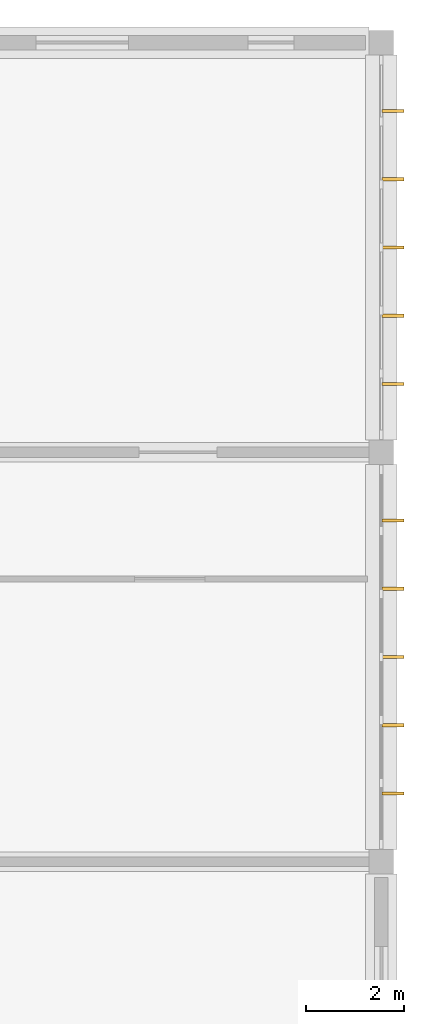
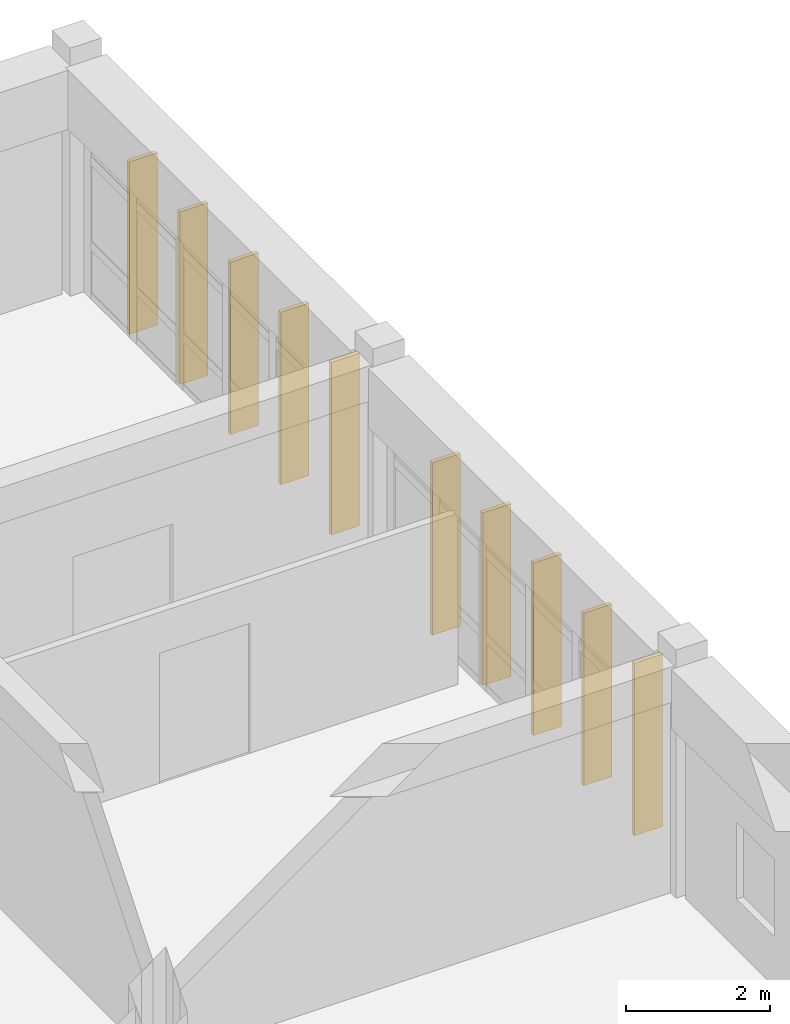
# One storey, part 119 of 119: 10 shading devices.
"""IFC4 building model written with IfcOpenShell, lengths in metres."""

from ifc_helpers import new_model, si_unit, direction, frame, origin, origin_2d, place, context, subcontext, project, spatial, rectangle, extrude, material, material_profile, profile_set, type_object, element, save


model = new_model("IFC4")

# Units and contexts
model_context = context("Model", 3, precision=1e-05, world=origin(), true_north=direction((0.0, 1.0)))
body_context = subcontext(model_context, "Body", "Model", "MODEL_VIEW")
ifc_project = project(units=[si_unit("LENGTHUNIT", "METRE"), si_unit("AREAUNIT", "SQUARE_METRE"), si_unit("VOLUMEUNIT", "CUBIC_METRE"), si_unit("PLANEANGLEUNIT", "RADIAN"), si_unit("MASSUNIT", "GRAM", prefix="KILO")], contexts=[model_context])

# Site, building, storey
site_placement = place(None, origin())
site = spatial("IfcSite", under=ifc_project, at=site_placement, CompositionType="ELEMENT")
building_placement = place(site_placement, origin())
building = spatial("IfcBuilding", under=site, at=building_placement, Name="Bramfleet General Hospital", CompositionType="ELEMENT")
storey_placement = place(building_placement, frame((0.0, 0.0, 14.39990234375)))
storey = spatial("IfcBuildingStorey", under=building, at=storey_placement, Name="L03", CompositionType="ELEMENT", Elevation=14.39990234375)

# Shading devices
ifc_material = material(Name="Treated European larch timber", Category="wood")
ifc_material_profile = material_profile(ifc_material, rectangle(XDim=0.06494140625, YDim=0.449951171875, at=origin_2d()), Name="LARCH FIN 450x65")
ifc_profile_set = profile_set([ifc_material_profile], Name="Treated European larch timber")
shading_device_type = type_object("IfcShadingDeviceType", Name="SHD-FIN-450", PredefinedType="USERDEFINED", material=ifc_profile_set)
for number, where, z_axis, x_axis, name in (
    (1, (168.239990234375, 116.199951171875, -0.02001953125), (0.0, 0.0, 1.0), (0.0, -1.0, 0.0), "L03 Larch Timber Shading Fin 549"),
    (2, (168.239990234375, 114.800048828125, -0.02001953125), (0.0, 0.0, 1.0), (0.0, -1.0, 0.0), "L03 Larch Timber Shading Fin 550"),
    (3, (168.239990234375, 113.39990234375, -0.02001953125), (0.0, 0.0, 1.0), (0.0, -1.0, 0.0), "L03 Larch Timber Shading Fin 551"),
    (4, (168.239990234375, 112.0, -0.02001953125), (0.0, 0.0, 1.0), (0.0, -1.0, 0.0), "L03 Larch Timber Shading Fin 552"),
    (5, (168.239990234375, 110.60009765625, -0.02001953125), (0.0, 0.0, 1.0), (0.0, -1.0, 0.0), "L03 Larch Timber Shading Fin 553"),
    (6, (168.239990234375, 107.800048828125, -0.02001953125), (0.0, 0.0, 1.0), (0.0, -1.0, 0.0), "L03 Larch Timber Shading Fin 554"),
    (7, (168.239990234375, 106.39990234375, -0.02001953125), (0.0, 0.0, 1.0), (0.0, -1.0, 0.0), "L03 Larch Timber Shading Fin 555"),
    (8, (168.239990234375, 105.0, -0.02001953125), (0.0, 0.0, 1.0), (0.0, -1.0, 0.0), "L03 Larch Timber Shading Fin 556"),
    (9, (168.239990234375, 103.60009765625, -0.02001953125), (0.0, 0.0, 1.0), (0.0, -1.0, 0.0), "L03 Larch Timber Shading Fin 557"),
    (10, (168.239990234375, 102.199951171875, -0.02001953125), (0.0, 0.0, 1.0), (0.0, -1.0, 0.0), "L03 Larch Timber Shading Fin 558"),
):
    element("IfcShadingDevice", number, at=place(storey_placement, frame(where, z_axis=z_axis, x_axis=x_axis)), inside=storey, type_object=shading_device_type, Name=name, ObjectType="Fin", PredefinedType="USERDEFINED", context=body_context, shape_type="SweptSolid", body=[
        extrude(rectangle(XDim=0.06494140625, YDim=0.449951171875, at=origin_2d()), origin(), (0.0, 0.0, 1.0), 2.920166015625),
    ])

save(model, "model.ifc")
